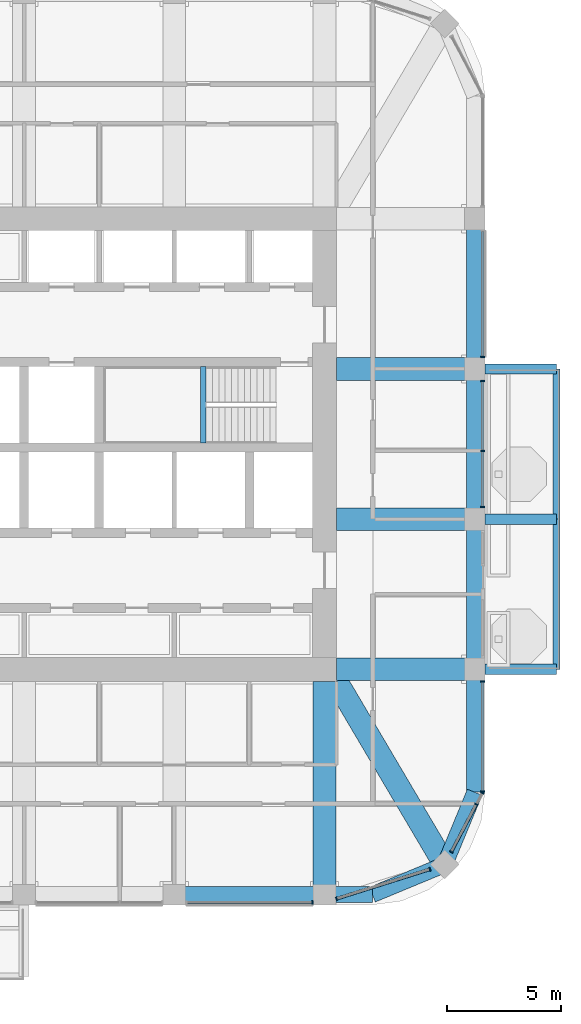
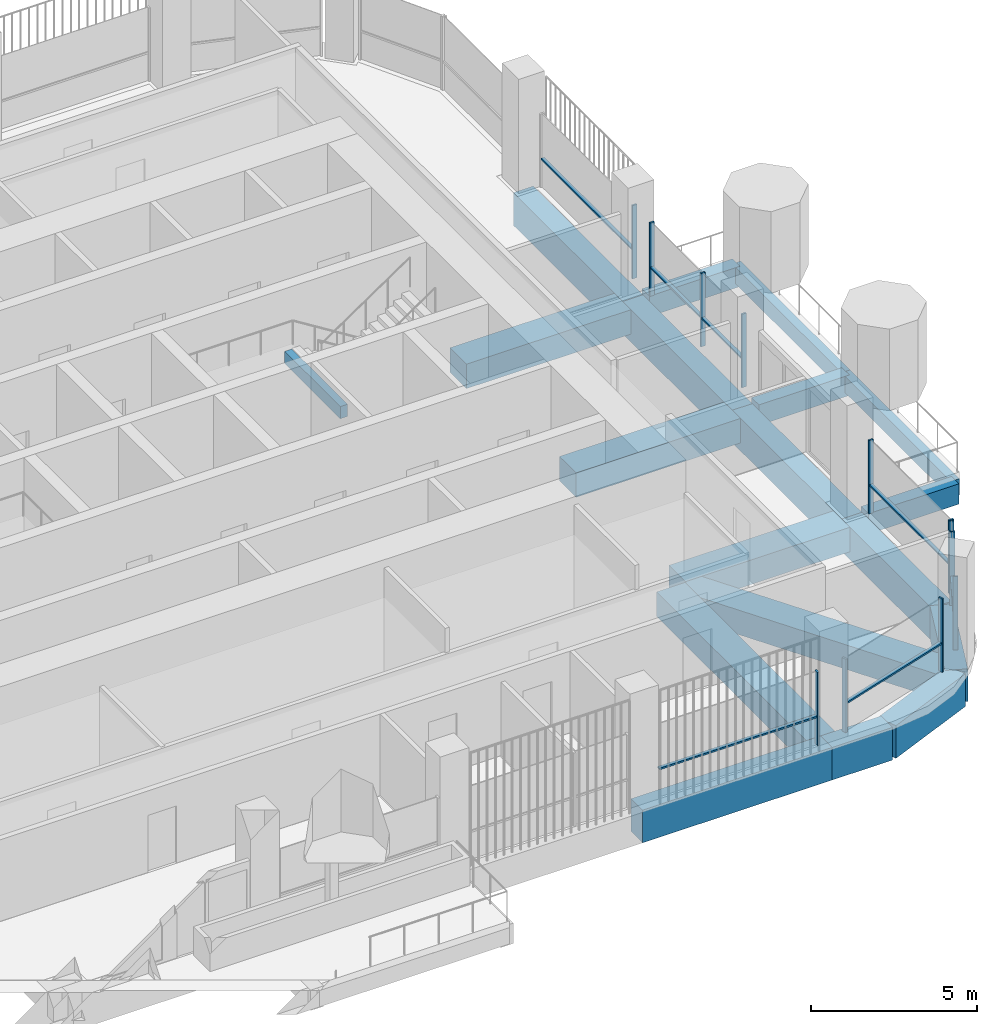
# One storey, part 4 of 18: 19 beams, 19 members, 6 elements without a shape of their own.
"""IFC4 building model written with IfcOpenShell, lengths in metres."""

from ifc_helpers import new_model, si_unit, direction, frame, origin, origin_2d, place, context, subcontext, project, spatial, rectangle, extrude, material, material_profile, profile_set, type_object, element, aggregate, save


model = new_model("IFC4")

# Units and contexts
model_context = context("Model", 3, precision=1e-05, world=origin(), true_north=direction((0.0, 1.0)))
body_context = subcontext(model_context, "Body", "Model", "MODEL_VIEW")
ifc_project = project(units=[si_unit("LENGTHUNIT", "METRE"), si_unit("AREAUNIT", "SQUARE_METRE"), si_unit("VOLUMEUNIT", "CUBIC_METRE"), si_unit("PLANEANGLEUNIT", "RADIAN"), si_unit("MASSUNIT", "GRAM", prefix="KILO")], contexts=[model_context])

# Site, building, storey
site_placement = place(None, origin())
site = spatial("IfcSite", under=ifc_project, at=site_placement, CompositionType="ELEMENT")
building_placement = place(site_placement, origin())
building = spatial("IfcBuilding", under=site, at=building_placement, Name="Cobogo Forest Laboratory Tower", CompositionType="ELEMENT")
storey_placement = place(building_placement, frame((0.0, 0.0, 271.199951171875)))
storey = spatial("IfcBuildingStorey", under=building, at=storey_placement, Name="L62", CompositionType="ELEMENT", Elevation=271.199951171875)

# Beams
ifc_material_1 = material(Name="Concrete HA-40 (C40/50)", Category="concrete")
ifc_material_profile_1 = material_profile(ifc_material_1, rectangle(XDim=0.449951171875, YDim=0.75, at=origin_2d()), Name="RC 450x750")
ifc_profile_set_1 = profile_set([ifc_material_profile_1], Name="Concrete HA-40 (C40/50)")
beam_type_1 = type_object("IfcBeamType", Name="Balcony cantilever beam 450x750", PredefinedType="BEAM", material=ifc_profile_set_1)
for number, where, z_axis, x_axis, name in (
    (1, (46.64990234375, 13.199951171875, -0.625), (1.0, 0.0, 0.0), (0.0, 1.0, 0.0), "CB1 BAL-E1-C1 L62"),
    (2, (46.64990234375, 19.800048828125, -0.625), (1.0, 0.0, 0.0), (0.0, 1.0, 0.0), "CB1 BAL-E1-C2 L62"),
    (3, (46.64990234375, 26.39990234375, -0.625), (1.0, 0.0, 0.0), (0.0, 1.0, 0.0), "CB1 BAL-E1-C3 L62"),
):
    element("IfcBeam", number, at=place(storey_placement, frame(where, z_axis=z_axis, x_axis=x_axis)), inside=storey, type_object=beam_type_1, Name=name, PredefinedType="BEAM", context=body_context, shape_type="SweptSolid", body=[
        extrude(rectangle(XDim=0.449951171875, YDim=0.75, at=origin_2d()), origin(), (0.0, 0.0, 1.0), 3.150146484375),
    ])
ifc_material_profile_2 = material_profile(ifc_material_1, rectangle(XDim=0.300048828125, YDim=0.60009765625, at=origin_2d()), Name="RC 300x600")
ifc_profile_set_2 = profile_set([ifc_material_profile_2], Name="Concrete HA-40 (C40/50)")
beam_type_2 = type_object("IfcBeamType", Name="Balcony edge beam 300x600", PredefinedType="BEAM", material=ifc_profile_set_2)
beam_1_placement = place(storey_placement, frame((49.800048828125, 13.199951171875, -0.550048828125), z_axis=(0.0, 1.0, 0.0), x_axis=(-1.0, 0.0, 0.0)))
element("IfcBeam", 4, at=beam_1_placement, inside=storey, type_object=beam_type_2, Name="BB1 BAL-E1-T1 L62", PredefinedType="BEAM", context=body_context, shape_type="SweptSolid", body=[
    extrude(rectangle(XDim=0.300048828125, YDim=0.60009765625, at=origin_2d()), origin(), (0.0, 0.0, 1.0), 6.60009765625),
])
beam_2_placement = place(storey_placement, frame((49.800048828125, 19.800048828125, -0.550048828125), z_axis=(0.0, 1.0, 0.0), x_axis=(-1.0, 0.0, 0.0)))
element("IfcBeam", 5, at=beam_2_placement, inside=storey, type_object=beam_type_2, Name="BB1 BAL-E1-T2 L62", PredefinedType="BEAM", context=body_context, shape_type="SweptSolid", body=[
    extrude(rectangle(XDim=0.300048828125, YDim=0.60009765625, at=origin_2d()), origin(), (0.0, 0.0, 1.0), 6.599853515625),
])
ifc_material_profile_3 = material_profile(ifc_material_1, rectangle(XDim=0.25, YDim=0.449951171875, at=origin_2d()), Name="RC 250x450")
ifc_profile_set_3 = profile_set([ifc_material_profile_3], Name="Concrete HA-40 (C40/50)")
beam_type_3 = type_object("IfcBeamType", Name="LB1 landing beam 250x450", PredefinedType="BEAM", material=ifc_profile_set_3)
beam_3_placement = place(storey_placement, frame((34.27001953125, 23.14990234375, 1.675048828125), z_axis=(0.0, 1.0, 0.0), x_axis=(-1.0, 0.0, 0.0)))
element("IfcBeam", 6, at=beam_3_placement, inside=storey, type_object=beam_type_3, Name="Landing beam ST2 L62", PredefinedType="BEAM", context=body_context, shape_type="SweptSolid", body=[
    extrude(rectangle(XDim=0.25, YDim=0.449951171875, at=origin_2d()), origin(), (0.0, 0.0, 1.0), 3.35009765625),
])

# Curtain wall, member
ifc_material_2 = material(Name="Aluminium curtain wall", Category="aluminium")
curtain_wall_type = type_object("IfcCurtainWallType", Name="CW-2 unitised curtain wall, solar control glazing, laboratory floors zones C and D", PredefinedType="USERDEFINED", material=ifc_material_2)
curtain_wall_1_placement = place(storey_placement, origin())
curtain_wall_1 = element("IfcCurtainWall", 7, at=curtain_wall_1_placement, inside=storey, type_object=curtain_wall_type, Name="Curtain wall 04 L62", ObjectType="UNITISED CURTAIN WALL", PredefinedType="USERDEFINED")
ifc_material_3 = material(Name="Aluminium mullion", Category="aluminium")
ifc_material_profile_4 = material_profile(ifc_material_3, rectangle(XDim=0.06005859375, YDim=0.159912109375, at=origin_2d()), Name="AL 60x160")
ifc_profile_set_4 = profile_set([ifc_material_profile_4], Name="Aluminium mullion")
member_type_1 = type_object("IfcMemberType", Name="MU-1 aluminium mullion 60x160", PredefinedType="MULLION", material=ifc_profile_set_4)
member_1_placement = place(storey_placement, frame((39.070068359375, 2.949951171875, 0.0), z_axis=(0.0, 0.0, 1.0), x_axis=(1.0, 0.0, 0.0)))
member_1 = element("IfcMember", 8, at=member_1_placement, type_object=member_type_1, Name="CW-2 mullion 2", PredefinedType="MULLION", context=body_context, shape_type="SweptSolid", body=[
    extrude(rectangle(XDim=0.06005859375, YDim=0.159912109375, at=origin_2d()), origin(), (0.0, 0.0, 1.0), 2.699951171875),
])

# Curtain wall, members
curtain_wall_2_placement = place(storey_placement, origin())
curtain_wall_2 = element("IfcCurtainWall", 9, at=curtain_wall_2_placement, inside=storey, type_object=curtain_wall_type, Name="Curtain wall 05 L62", ObjectType="UNITISED CURTAIN WALL", PredefinedType="USERDEFINED")
member_2_placement = place(storey_placement, frame((40.128662109375, 3.116943359375, 0.0), z_axis=(0.0, 0.0, 1.0), x_axis=(0.953581379409, 0.301135439371, 0.0)))
member_2 = element("IfcMember", 10, at=member_2_placement, type_object=member_type_1, Name="CW-2 mullion 1", PredefinedType="MULLION", context=body_context, shape_type="SweptSolid", body=[
    extrude(rectangle(XDim=0.06005859375, YDim=0.159912109375, at=origin_2d()), origin(), (0.0, 0.0, 1.0), 2.699951171875),
])
member_3_placement = place(storey_placement, frame((44.22998046875, 4.412109375, 0.0), z_axis=(0.0, 0.0, 1.0), x_axis=(0.953581379409, 0.301135439371, 0.0)))
member_3 = element("IfcMember", 11, at=member_3_placement, type_object=member_type_1, Name="CW-2 mullion 2", PredefinedType="MULLION", context=body_context, shape_type="SweptSolid", body=[
    extrude(rectangle(XDim=0.06005859375, YDim=0.159912109375, at=origin_2d()), origin(), (0.0, 0.0, 1.0), 2.699951171875),
])

curtain_wall_3_placement = place(storey_placement, origin())
curtain_wall_3 = element("IfcCurtainWall", 12, at=curtain_wall_3_placement, inside=storey, type_object=curtain_wall_type, Name="Curtain wall 06 L62", ObjectType="UNITISED CURTAIN WALL", PredefinedType="USERDEFINED")
member_4_placement = place(storey_placement, frame((45.177978515625, 5.1826171875, 0.0), z_axis=(0.0, 0.0, 1.0), x_axis=(0.464283778337, 0.885686498245, 0.0)))
member_4 = element("IfcMember", 13, at=member_4_placement, type_object=member_type_1, Name="CW-2 mullion 1", PredefinedType="MULLION", context=body_context, shape_type="SweptSolid", body=[
    extrude(rectangle(XDim=0.06005859375, YDim=0.159912109375, at=origin_2d()), origin(), (0.0, 0.0, 1.0), 2.699951171875),
])
member_5_placement = place(storey_placement, frame((46.268310546875, 7.262939453125, 0.0), z_axis=(0.0, 0.0, 1.0), x_axis=(0.464283778337, 0.885686498245, 0.0)))
member_5 = element("IfcMember", 14, at=member_5_placement, type_object=member_type_1, Name="CW-2 mullion 2", PredefinedType="MULLION", context=body_context, shape_type="SweptSolid", body=[
    extrude(rectangle(XDim=0.06005859375, YDim=0.159912109375, at=origin_2d()), origin(), (0.0, 0.0, 1.0), 2.699951171875),
])
member_6_placement = place(storey_placement, frame((46.5361328125, 7.7734375, 0.0), z_axis=(0.0, 0.0, 1.0), x_axis=(0.464283778337, 0.885686498245, 0.0)))
member_6 = element("IfcMember", 15, at=member_6_placement, type_object=member_type_1, Name="CW-2 mullion 3", PredefinedType="MULLION", context=body_context, shape_type="SweptSolid", body=[
    extrude(rectangle(XDim=0.06005859375, YDim=0.159912109375, at=origin_2d()), origin(), (0.0, 0.0, 1.0), 2.699951171875),
])

curtain_wall_4_placement = place(storey_placement, origin())
curtain_wall_4 = element("IfcCurtainWall", 16, at=curtain_wall_4_placement, inside=storey, type_object=curtain_wall_type, Name="Curtain wall 07 L62", ObjectType="UNITISED CURTAIN WALL", PredefinedType="USERDEFINED")
member_7_placement = place(storey_placement, frame((46.550048828125, 7.830078125, 0.0), z_axis=(0.0, 0.0, 1.0), x_axis=(0.0, 1.0, 0.0)))
member_7 = element("IfcMember", 17, at=member_7_placement, type_object=member_type_1, Name="CW-2 mullion 1", PredefinedType="MULLION", context=body_context, shape_type="SweptSolid", body=[
    extrude(rectangle(XDim=0.06005859375, YDim=0.159912109375, at=origin_2d()), origin(), (0.0, 0.0, 1.0), 2.699951171875),
])
member_8_placement = place(storey_placement, frame((46.550048828125, 12.669921875, 0.0), z_axis=(0.0, 0.0, 1.0), x_axis=(0.0, 1.0, 0.0)))
member_8 = element("IfcMember", 18, at=member_8_placement, type_object=member_type_1, Name="CW-2 mullion 2", PredefinedType="MULLION", context=body_context, shape_type="SweptSolid", body=[
    extrude(rectangle(XDim=0.06005859375, YDim=0.159912109375, at=origin_2d()), origin(), (0.0, 0.0, 1.0), 2.699951171875),
])

curtain_wall_5_placement = place(storey_placement, origin())
curtain_wall_5 = element("IfcCurtainWall", 19, at=curtain_wall_5_placement, inside=storey, type_object=curtain_wall_type, Name="Curtain wall 09 L62", ObjectType="UNITISED CURTAIN WALL", PredefinedType="USERDEFINED")
member_9_placement = place(storey_placement, frame((46.550048828125, 20.330078125, 0.0), z_axis=(0.0, 0.0, 1.0), x_axis=(0.0, 1.0, 0.0)))
member_9 = element("IfcMember", 20, at=member_9_placement, type_object=member_type_1, Name="CW-2 mullion 1", PredefinedType="MULLION", context=body_context, shape_type="SweptSolid", body=[
    extrude(rectangle(XDim=0.06005859375, YDim=0.159912109375, at=origin_2d()), origin(), (0.0, 0.0, 1.0), 2.699951171875),
])
member_10_placement = place(storey_placement, frame((46.550048828125, 22.800048828125, 0.0), z_axis=(0.0, 0.0, 1.0), x_axis=(0.0, 1.0, 0.0)))
member_10 = element("IfcMember", 21, at=member_10_placement, type_object=member_type_1, Name="CW-2 mullion 2", PredefinedType="MULLION", context=body_context, shape_type="SweptSolid", body=[
    extrude(rectangle(XDim=0.06005859375, YDim=0.159912109375, at=origin_2d()), origin(), (0.0, 0.0, 1.0), 2.699951171875),
])
member_11_placement = place(storey_placement, frame((46.550048828125, 25.8701171875, 0.0), z_axis=(0.0, 0.0, 1.0), x_axis=(0.0, 1.0, 0.0)))
member_11 = element("IfcMember", 22, at=member_11_placement, type_object=member_type_1, Name="CW-2 mullion 3", PredefinedType="MULLION", context=body_context, shape_type="SweptSolid", body=[
    extrude(rectangle(XDim=0.06005859375, YDim=0.159912109375, at=origin_2d()), origin(), (0.0, 0.0, 1.0), 2.699951171875),
])

# Curtain wall, member
curtain_wall_6_placement = place(storey_placement, origin())
curtain_wall_6 = element("IfcCurtainWall", 23, at=curtain_wall_6_placement, inside=storey, type_object=curtain_wall_type, Name="Curtain wall 10 L62", ObjectType="UNITISED CURTAIN WALL", PredefinedType="USERDEFINED")
member_12_placement = place(storey_placement, frame((46.550048828125, 26.929931640625, 0.0), z_axis=(0.0, 0.0, 1.0), x_axis=(0.0, 1.0, 0.0)))
member_12 = element("IfcMember", 24, at=member_12_placement, type_object=member_type_1, Name="CW-2 mullion 1", PredefinedType="MULLION", context=body_context, shape_type="SweptSolid", body=[
    extrude(rectangle(XDim=0.06005859375, YDim=0.159912109375, at=origin_2d()), origin(), (0.0, 0.0, 1.0), 2.699951171875),
])

# Beams
ifc_material_profile_5 = material_profile(ifc_material_1, rectangle(XDim=1.0, YDim=0.89990234375, at=origin_2d()), Name="RC 1000x900")
ifc_profile_set_5 = profile_set([ifc_material_profile_5], Name="Concrete HA-40 (C40/50)")
beam_type_4 = type_object("IfcBeamType", Name="Office floor wide beam 1000x900", PredefinedType="BEAM", material=ifc_profile_set_5)
beam_4_placement = place(storey_placement, frame((39.60009765625, 12.675048828125, -0.75), z_axis=(0.0, -1.0, 0.0), x_axis=(1.0, 0.0, 0.0)))
element("IfcBeam", 25, at=beam_4_placement, inside=storey, type_object=beam_type_4, Name="RB2 R-7-S L62", PredefinedType="BEAM", context=body_context, shape_type="SweptSolid", body=[
    extrude(rectangle(XDim=1.0, YDim=0.89990234375, at=origin_2d()), origin(), (0.0, 0.0, 1.0), 9.375),
])
for number, where, z_axis, x_axis, name in (
    (26, (40.125, 13.199951171875, -0.75), (1.0, 0.0, 0.0), (0.0, 1.0, 0.0), "RB2 R-C-E L62"),
    (27, (40.125, 19.800048828125, -0.75), (1.0, 0.0, 0.0), (0.0, 1.0, 0.0), "RB2 R-D-E L62"),
    (28, (40.125, 26.39990234375, -0.75), (1.0, 0.0, 0.0), (0.0, 1.0, 0.0), "RB2 R-E-E L62"),
):
    element("IfcBeam", number, at=place(storey_placement, frame(where, z_axis=z_axis, x_axis=x_axis)), inside=storey, type_object=beam_type_4, Name=name, PredefinedType="BEAM", context=body_context, shape_type="SweptSolid", body=[
        extrude(rectangle(XDim=1.0, YDim=0.89990234375, at=origin_2d()), origin(), (0.0, 0.0, 1.0), 6.074951171875),
    ])
beam_5_placement = place(storey_placement, frame((44.882080078125, 4.617919921875, -0.75), z_axis=(-0.508416325908, 0.861111397875, 0.0), x_axis=(-0.861111397875, -0.508416325908, 0.0)))
element("IfcBeam", 29, at=beam_5_placement, inside=storey, type_object=beam_type_4, Name="RB2 G-SE-D1 L62", PredefinedType="BEAM", context=body_context, shape_type="SweptSolid", body=[
    extrude(rectangle(XDim=1.0, YDim=0.89990234375, at=origin_2d()), origin(), (0.0, 0.0, 1.0), 9.356689453125),
])
ifc_material_profile_6 = material_profile(ifc_material_1, rectangle(XDim=0.699951171875, YDim=1.199951171875, at=origin_2d()), Name="RC 700x1200")
ifc_profile_set_6 = profile_set([ifc_material_profile_6], Name="Concrete HA-40 (C40/50)")
beam_type_5 = type_object("IfcBeamType", Name="Perimeter edge beam 700x1200", PredefinedType="BEAM", material=ifc_profile_set_6)
for number, where, z_axis, x_axis, name in (
    (30, (33.0, 3.300048828125, -0.89990234375), (1.0, 0.0, 0.0), (0.0, 1.0, 0.0), "EB1 E-S4 L62"),
    (31, (46.199951171875, 13.199951171875, -0.89990234375), (0.0, 1.0, 0.0), (-1.0, 0.0, 0.0), "EB1 E-E1 L62"),
):
    element("IfcBeam", number, at=place(storey_placement, frame(where, z_axis=z_axis, x_axis=x_axis)), inside=storey, type_object=beam_type_5, Name=name, PredefinedType="BEAM", context=body_context, shape_type="SweptSolid", body=[
        extrude(rectangle(XDim=0.699951171875, YDim=1.199951171875, at=origin_2d()), origin(), (0.0, 0.0, 1.0), 6.60009765625),
    ])
beam_6_placement = place(storey_placement, frame((46.199951171875, 19.800048828125, -0.89990234375), z_axis=(0.0, 1.0, 0.0), x_axis=(-1.0, 0.0, 0.0)))
element("IfcBeam", 32, at=beam_6_placement, inside=storey, type_object=beam_type_5, Name="EB1 E-E2 L62", PredefinedType="BEAM", context=body_context, shape_type="SweptSolid", body=[
    extrude(rectangle(XDim=0.699951171875, YDim=1.199951171875, at=origin_2d()), origin(), (0.0, 0.0, 1.0), 6.599853515625),
])
beam_7_placement = place(storey_placement, frame((46.199951171875, 26.39990234375, -0.89990234375), z_axis=(0.0, 1.0, 0.0), x_axis=(-1.0, 0.0, 0.0)))
element("IfcBeam", 33, at=beam_7_placement, inside=storey, type_object=beam_type_5, Name="EB1 E-E3 L62", PredefinedType="BEAM", context=body_context, shape_type="SweptSolid", body=[
    extrude(rectangle(XDim=0.699951171875, YDim=1.199951171875, at=origin_2d()), origin(), (0.0, 0.0, 1.0), 6.60009765625),
])
beam_8_placement = place(storey_placement, frame((39.60009765625, 3.300048828125, -0.89990234375), z_axis=(1.0, 0.0, 0.0), x_axis=(0.0, 1.0, 0.0)))
element("IfcBeam", 34, at=beam_8_placement, inside=storey, type_object=beam_type_5, Name="EB1 E-SES1 L62", PredefinedType="BEAM", context=body_context, shape_type="SweptSolid", body=[
    extrude(rectangle(XDim=0.699951171875, YDim=1.199951171875, at=origin_2d()), origin(), (0.0, 0.0, 1.0), 2.099853515625),
])
beam_9_placement = place(storey_placement, frame((41.699951171875, 3.300048828125, -0.89990234375), z_axis=(0.923901072997, 0.382631424892, 0.0), x_axis=(-0.382631424892, 0.923901072997, 0.0)))
element("IfcBeam", 35, at=beam_9_placement, inside=storey, type_object=beam_type_5, Name="EB1 E-SES2 L62", PredefinedType="BEAM", context=body_context, shape_type="SweptSolid", body=[
    extrude(rectangle(XDim=0.699951171875, YDim=1.199951171875, at=origin_2d()), origin(), (0.0, 0.0, 1.0), 3.4443359375),
])
beam_10_placement = place(storey_placement, frame((46.199951171875, 13.199951171875, -0.89990234375), z_axis=(0.0, -1.0, 0.0), x_axis=(1.0, 0.0, 0.0)))
element("IfcBeam", 36, at=beam_10_placement, inside=storey, type_object=beam_type_5, Name="EB1 E-SEE1 L62", PredefinedType="BEAM", context=body_context, shape_type="SweptSolid", body=[
    extrude(rectangle(XDim=0.699951171875, YDim=1.199951171875, at=origin_2d()), origin(), (0.0, 0.0, 1.0), 5.39990234375),
])
beam_11_placement = place(storey_placement, frame((46.199951171875, 7.800048828125, -0.89990234375), z_axis=(-0.382631424892, -0.923901072997, 0.0), x_axis=(0.923901072997, -0.382631424892, 0.0)))
element("IfcBeam", 37, at=beam_11_placement, inside=storey, type_object=beam_type_5, Name="EB1 E-SEE2 L62", PredefinedType="BEAM", context=body_context, shape_type="SweptSolid", body=[
    extrude(rectangle(XDim=0.699951171875, YDim=1.199951171875, at=origin_2d()), origin(), (0.0, 0.0, 1.0), 3.4443359375),
])

# Member
ifc_material_4 = material(Name="Aluminium transom", Category="aluminium")
ifc_material_profile_7 = material_profile(ifc_material_4, rectangle(XDim=0.1201171875, YDim=0.06005859375, at=origin_2d()), Name="AL 60x120")
ifc_profile_set_7 = profile_set([ifc_material_profile_7], Name="Aluminium transom")
member_type_2 = type_object("IfcMemberType", Name="TR-1 aluminium transom 60x120", PredefinedType="USERDEFINED", material=ifc_profile_set_7)
member_13_placement = place(storey_placement, frame((33.56005859375, 2.949951171875, 1.050048828125), z_axis=(1.0, 0.0, 0.0), x_axis=(0.0, 1.0, 0.0)))
member_13 = element("IfcMember", 38, at=member_13_placement, type_object=member_type_2, Name="CW-2 transom 1.1", ObjectType="TRANSOM", PredefinedType="USERDEFINED", context=body_context, shape_type="SweptSolid", body=[
    extrude(rectangle(XDim=0.1201171875, YDim=0.06005859375, at=origin_2d()), origin(), (0.0, 0.0, 1.0), 5.47998046875),
])

aggregate(curtain_wall_1, [member_1, member_13])

member_14_placement = place(storey_placement, frame((40.1572265625, 3.1259765625, 1.050048828125), z_axis=(0.953583535148, 0.30112861288, 0.0), x_axis=(-0.30112861288, 0.953583535148, 0.0)))
member_14 = element("IfcMember", 39, at=member_14_placement, type_object=member_type_2, Name="CW-2 transom 1.1", ObjectType="TRANSOM", PredefinedType="USERDEFINED", context=body_context, shape_type="SweptSolid", body=[
    extrude(rectangle(XDim=0.1201171875, YDim=0.06005859375, at=origin_2d()), origin(), (0.0, 0.0, 1.0), 4.240966796875),
])

aggregate(curtain_wall_2, [member_2, member_3, member_14])

member_15_placement = place(storey_placement, frame((45.19189453125, 5.209228515625, 1.050048828125), z_axis=(0.46424215306, 0.885708317293, 0.0), x_axis=(-0.885708317293, 0.46424215306, 0.0)))
member_15 = element("IfcMember", 40, at=member_15_placement, type_object=member_type_2, Name="CW-2 transom 1.1", ObjectType="TRANSOM", PredefinedType="USERDEFINED", context=body_context, shape_type="SweptSolid", body=[
    extrude(rectangle(XDim=0.1201171875, YDim=0.06005859375, at=origin_2d()), origin(), (0.0, 0.0, 1.0), 2.28857421875),
])

aggregate(curtain_wall_3, [member_4, member_5, member_6, member_15])

member_16_placement = place(storey_placement, frame((46.550048828125, 7.860107421875, 1.050048828125), z_axis=(0.0, 1.0, 0.0), x_axis=(-1.0, 0.0, 0.0)))
member_16 = element("IfcMember", 41, at=member_16_placement, type_object=member_type_2, Name="CW-2 transom 1.1", ObjectType="TRANSOM", PredefinedType="USERDEFINED", context=body_context, shape_type="SweptSolid", body=[
    extrude(rectangle(XDim=0.1201171875, YDim=0.06005859375, at=origin_2d()), origin(), (0.0, 0.0, 1.0), 4.77978515625),
])

aggregate(curtain_wall_4, [member_7, member_8, member_16])

member_17_placement = place(storey_placement, frame((46.550048828125, 20.360107421875, 1.050048828125), z_axis=(0.0, 1.0, 0.0), x_axis=(-1.0, 0.0, 0.0)))
member_17 = element("IfcMember", 42, at=member_17_placement, type_object=member_type_2, Name="CW-2 transom 1.1", ObjectType="TRANSOM", PredefinedType="USERDEFINED", context=body_context, shape_type="SweptSolid", body=[
    extrude(rectangle(XDim=0.1201171875, YDim=0.06005859375, at=origin_2d()), origin(), (0.0, 0.0, 1.0), 2.409912109375),
])

member_18_placement = place(storey_placement, frame((46.550048828125, 22.830078125, 1.050048828125), z_axis=(0.0, 1.0, 0.0), x_axis=(-1.0, 0.0, 0.0)))
member_18 = element("IfcMember", 43, at=member_18_placement, type_object=member_type_2, Name="CW-2 transom 2.1", ObjectType="TRANSOM", PredefinedType="USERDEFINED", context=body_context, shape_type="SweptSolid", body=[
    extrude(rectangle(XDim=0.1201171875, YDim=0.06005859375, at=origin_2d()), origin(), (0.0, 0.0, 1.0), 3.010009765625),
])

aggregate(curtain_wall_5, [member_9, member_10, member_11, member_17, member_18])

member_19_placement = place(storey_placement, frame((46.550048828125, 26.9599609375, 1.050048828125), z_axis=(0.0, 1.0, 0.0), x_axis=(-1.0, 0.0, 0.0)))
member_19 = element("IfcMember", 44, at=member_19_placement, type_object=member_type_2, Name="CW-2 transom 1.1", ObjectType="TRANSOM", PredefinedType="USERDEFINED", context=body_context, shape_type="SweptSolid", body=[
    extrude(rectangle(XDim=0.1201171875, YDim=0.06005859375, at=origin_2d()), origin(), (0.0, 0.0, 1.0), 5.47998046875),
])

aggregate(curtain_wall_6, [member_12, member_19])

save(model, "model.ifc")
